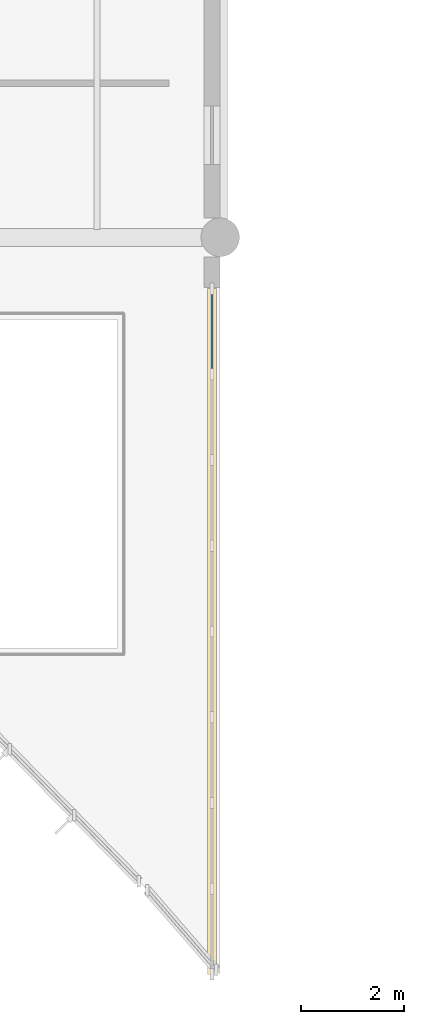
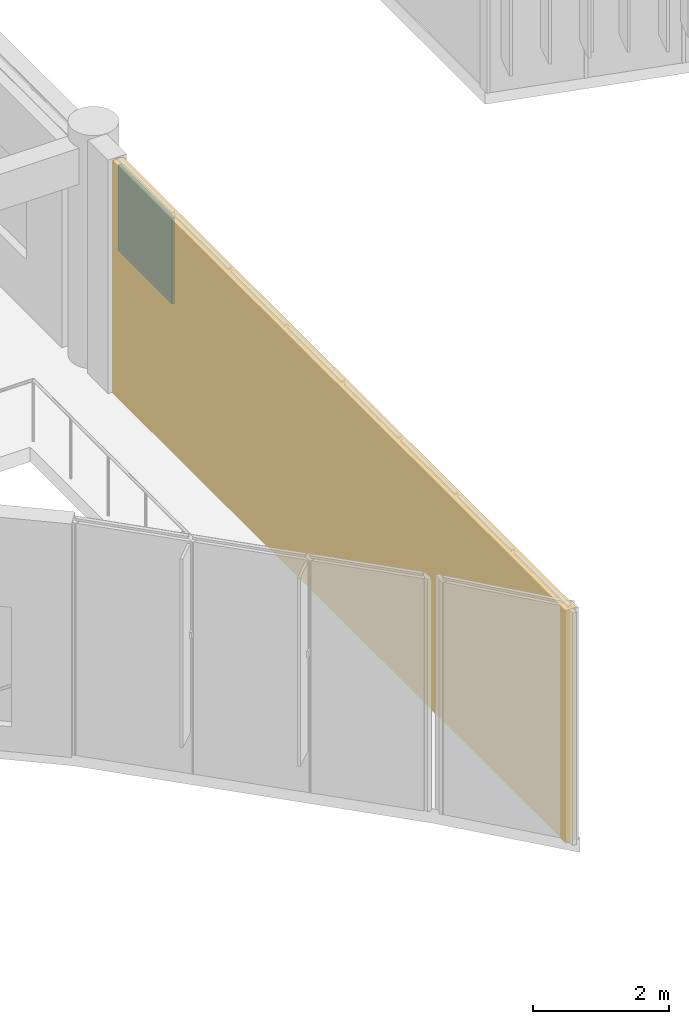
# One storey, part 82 of 122: 1 plate, plus 1 element that does not belong to this part.
"""IFC4 building model written with IfcOpenShell, lengths in metres."""

import ifcopenshell
import ifcopenshell.guid

model = None  # the IFC model being written
_history = None  # IfcOwnerHistory: only IFC2X3 demands one
_inside = {}  # id of a spatial element -> (the spatial element, [elements in it])
_under = {}  # id of a project, library or spatial element -> (it, [spatial elements below it])
_declared = {}  # id of a project -> (the project, [libraries it declares])
_typed = {}  # id of a type object -> (the type object, [elements of that type])
_made_of = {}  # id of a material, layer set ... -> (it, [elements and type objects made of it])


def new_model(schema):
    """Start an empty IFC model of exactly this schema.

    Asked for "IFC4X3", IfcOpenShell would pick the latest addendum, in which some entities
    have other attributes; the version numbers below select the first issue.
    IFC2X3 requires an IfcOwnerHistory on every rooted entity: one is made here for all.
    """
    global model, _history
    if schema == "IFC4X3":
        model = ifcopenshell.file(schema_version=(4, 3, 0, 0))
    else:
        model = ifcopenshell.file(schema=schema)
    _inside.clear()
    _under.clear()
    _declared.clear()
    _typed.clear()
    _made_of.clear()
    _history = None
    if model.schema == "IFC2X3":
        org = make("IfcOrganization", Name="unknown")
        user = make(
            "IfcPersonAndOrganization",
            ThePerson=make("IfcPerson", FamilyName="unknown"),
            TheOrganization=org,
        )
        app = make(
            "IfcApplication",
            ApplicationDeveloper=org,
            Version="unknown",
            ApplicationFullName="unknown",
            ApplicationIdentifier="unknown",
        )
        _history = make(
            "IfcOwnerHistory",
            OwningUser=user,
            OwningApplication=app,
            ChangeAction="ADDED",
            CreationDate=0,
        )
    return model


def make(cls, **values):
    """One entity of the class cls with the attributes given. An attribute that is None is left unset."""
    return model.create_entity(
        cls, **{name: value for name, value in values.items() if value is not None}
    )


def rooted(cls, **values):
    """An entity with a GlobalId (a new one), such as an element, a storey or a relation."""
    return make(cls, GlobalId=ifcopenshell.guid.new(), OwnerHistory=_history, **values)


def si_unit(unit_type, name, prefix=None):
    """IfcSIUnit, for example si_unit("LENGTHUNIT", "METRE", prefix="MILLI")."""
    return make("IfcSIUnit", UnitType=unit_type, Prefix=prefix, Name=name)


def assignment(units):
    """IfcUnitAssignment: the units of a project."""
    return None if units is None else make("IfcUnitAssignment", Units=units)


def point(xyz):
    """IfcCartesianPoint."""
    return None if xyz is None else make("IfcCartesianPoint", Coordinates=xyz)


def direction(xyz):
    """IfcDirection."""
    return None if xyz is None else make("IfcDirection", DirectionRatios=xyz)


def frame(location, z_axis=None, x_axis=None):
    """IfcAxis2Placement3D, a coordinate frame: its origin and axes. An axis left out is left unset."""
    return make(
        "IfcAxis2Placement3D",
        Location=point(location),
        Axis=direction(z_axis),
        RefDirection=direction(x_axis),
    )


def frame_2d(location, x_axis=None):
    """IfcAxis2Placement2D, a coordinate frame in the plane: its origin and x axis."""
    return make(
        "IfcAxis2Placement2D", Location=point(location), RefDirection=direction(x_axis)
    )


def origin():
    """The frame at (0, 0, 0) with its axes left unset."""
    return frame((0.0, 0.0, 0.0))


def origin_2d():
    """The frame at (0, 0) in the plane with its x axis left unset."""
    return frame_2d((0.0, 0.0))


def place(relative_to, where):
    """IfcLocalPlacement: puts the frame where relative to a parent placement (None: the world)."""
    return make(
        "IfcLocalPlacement", PlacementRelTo=relative_to, RelativePlacement=where
    )


def context(
    kind, dimensions, precision=None, world=None, true_north=None, identifier=None
):
    """IfcGeometricRepresentationContext, for example the 3D "Model" context."""
    return make(
        "IfcGeometricRepresentationContext",
        ContextIdentifier=identifier,
        ContextType=kind,
        CoordinateSpaceDimension=dimensions,
        Precision=precision,
        WorldCoordinateSystem=world,
        TrueNorth=true_north,
    )


def subcontext(parent, identifier, kind, view, scale=None):
    """IfcGeometricRepresentationSubContext, for example "Body" below "Model"."""
    return make(
        "IfcGeometricRepresentationSubContext",
        ContextIdentifier=identifier,
        ContextType=kind,
        ParentContext=parent,
        TargetScale=scale,
        TargetView=view,
    )


def project(units=None, contexts=None):
    """IfcProject with its units and contexts."""
    return rooted(
        "IfcProject",
        Name="project",
        RepresentationContexts=contexts,
        UnitsInContext=assignment(units),
    )


def spatial(cls, under=None, at=None, **own):
    """A site, building, storey or space (cls), placed at a placement, below another one or the project."""
    s = rooted(cls, ObjectPlacement=at, **own)
    if under is not None:
        _under.setdefault(under.id(), (under, []))[1].append(s)
    return s


def profile(cls, at=None, kind="AREA", **sizes):
    """A parametric profile (cls). Its sizes go by their IFC names, for example OverallWidth=200.0."""
    return make(cls, ProfileType=kind, Position=at, **sizes)


def rectangle(**sizes):
    """IfcRectangleProfileDef."""
    return profile("IfcRectangleProfileDef", **sizes)


def extrude(swept, where, along, depth):
    """IfcExtrudedAreaSolid: the profile swept, set in the frame where, extruded along a direction by depth."""
    return make(
        "IfcExtrudedAreaSolid",
        SweptArea=swept,
        Position=where,
        ExtrudedDirection=direction(along),
        Depth=depth,
    )


def shape(context_of_items, identifier, shape_type, items):
    """IfcShapeRepresentation: the items that make up one representation, for example the "Body"."""
    return make(
        "IfcShapeRepresentation",
        ContextOfItems=context_of_items,
        RepresentationIdentifier=identifier,
        RepresentationType=shape_type,
        Items=items,
    )


def material(Name=None, Category=None):
    """IfcMaterial."""
    return make("IfcMaterial", Name=Name, Category=Category)


def layer(
    of_material, thickness, ventilated=None, Name=None, Category=None, Priority=None
):
    """IfcMaterialLayer: one layer of a wall or slab, of a material (None: an air gap)."""
    return make(
        "IfcMaterialLayer",
        Material=of_material,
        LayerThickness=thickness,
        IsVentilated=ventilated,
        Name=Name,
        Category=Category,
        Priority=Priority,
    )


def layer_set(layers, Name=None):
    """IfcMaterialLayerSet."""
    return make("IfcMaterialLayerSet", MaterialLayers=layers, LayerSetName=Name)


def made_of(thing, what):
    """Note that an element or type object is made of a material, layer set ...; save() writes the relation."""
    if what is not None:
        _made_of.setdefault(what.id(), (what, []))[1].append(thing)
    return thing


def type_object(cls, material=None, **own):
    """A type object (cls), such as IfcWallType, which elements share."""
    return made_of(rooted(cls, **own), material)


def element(
    cls,
    number,
    at=None,
    inside=None,
    cuts=None,
    type_object=None,
    material=None,
    context=None,
    identifier="Body",
    shape_type=None,
    held_by="IfcProductDefinitionShape",
    body=None,
    shapes=None,
    **own,
):
    """One element of the class cls, such as IfcWall. Its Tag is "e" and its number.

    at: its placement. inside: the storey or other place that contains it. cuts: it is an
    opening in that element (IfcRelVoidsElement). A single representation is given by context,
    identifier, shape_type and body (its items); several are given by shapes. held_by: the class
    of the entity that holds the representations. save() writes the other relations.
    """
    e = rooted(cls, Tag="e%d" % number, ObjectPlacement=at, **own)
    if body is not None:
        shapes = [shape(context, identifier, shape_type, body)]
    if shapes is not None:
        e.Representation = make(held_by, Representations=shapes)
    if inside is not None:
        _inside.setdefault(inside.id(), (inside, []))[1].append(e)
    if cuts is not None:
        rooted(
            "IfcRelVoidsElement", RelatingBuildingElement=cuts, RelatedOpeningElement=e
        )
    if type_object is not None:
        _typed.setdefault(type_object.id(), (type_object, []))[1].append(e)
    return made_of(e, material)


def aggregate(whole, parts):
    """IfcRelAggregates: a whole, such as a stair, and the parts it consists of."""
    return rooted("IfcRelAggregates", RelatingObject=whole, RelatedObjects=parts)


def save(model, path):
    """Write the relations noted so far, then the file.

    IfcRelAggregates (storeys below a building ...), IfcRelContainedInSpatialStructure (elements
    in a storey), IfcRelDefinesByType, IfcRelAssociatesMaterial and IfcRelDeclares: one each for
    every whole, place, type object, material and project.
    """
    for whole, parts in _under.values():
        aggregate(whole, parts)
    for where, things in _inside.values():
        rooted(
            "IfcRelContainedInSpatialStructure",
            RelatedElements=things,
            RelatingStructure=where,
        )
    for kind, things in _typed.values():
        rooted("IfcRelDefinesByType", RelatedObjects=things, RelatingType=kind)
    for what, things in _made_of.values():
        rooted("IfcRelAssociatesMaterial", RelatedObjects=things, RelatingMaterial=what)
    for by, libraries in _declared.values():
        rooted("IfcRelDeclares", RelatingContext=by, RelatedDefinitions=libraries)
    model.write(path)


model = new_model("IFC4")

# Units and contexts
model_context = context("Model", 3, precision=1e-05, world=origin(), true_north=direction((0.0, 1.0)))
body_context = subcontext(model_context, "Body", "Model", "MODEL_VIEW")
ifc_project = project(units=[si_unit("LENGTHUNIT", "METRE"), si_unit("AREAUNIT", "SQUARE_METRE"), si_unit("VOLUMEUNIT", "CUBIC_METRE"), si_unit("PLANEANGLEUNIT", "RADIAN"), si_unit("MASSUNIT", "GRAM", prefix="KILO")], contexts=[model_context])

# Plate
ifc_material_1 = material(Name="Double Low-E Acoustic Laminated Glass", Category="glass")
ifc_layer = layer(ifc_material_1, 0.0439453125, Name="Double Low-E Acoustic Laminated Glass")
ifc_layer_set = layer_set([ifc_layer], Name="Double Low-E Acoustic Laminated Glass")
plate_type = type_object("IfcPlateType", Name="Acoustic Laminated Low-E Glazing Unit 44", PredefinedType="CURTAIN_PANEL", material=ifc_layer_set)
site_placement = place(None, origin())
building_placement = place(site_placement, origin())
storey_placement = place(building_placement, frame((0.0, 0.0, 4.800048828125)))
plate_placement = place(storey_placement, frame((116.840087890625, 13.965576171875, 2.5634765625), z_axis=(0.0, 0.0, 1.0), x_axis=(0.0, 1.0, 0.0)))
plate = element("IfcPlate", 1, at=plate_placement, type_object=plate_type, Name="Curtain Panel CWP-01 CW-V5-RET-E-L01-P08.3", PredefinedType="CURTAIN_PANEL", context=body_context, shape_type="SweptSolid", body=[
    extrude(rectangle(XDim=1.5986328125, YDim=0.0439453125, at=origin_2d()), origin(), (0.0, 0.0, 1.0), 1.54638671875),
])

# Site, building, storey
site = spatial("IfcSite", under=ifc_project, at=site_placement, CompositionType="ELEMENT")
building = spatial("IfcBuilding", under=site, at=building_placement, Name="Tazoul Stagehouse", CompositionType="ELEMENT")
storey = spatial("IfcBuildingStorey", under=building, at=storey_placement, Name="L01", CompositionType="ELEMENT", Elevation=4.800048828125)

# Curtain wall
ifc_material_2 = material(Name="Anodised Bronze Aluminium 6063-T6", Category="aluminium")
curtain_wall_type = type_object("IfcCurtainWallType", Name="Crescent Double-Skin Acoustic Curtain Wall", PredefinedType="NOTDEFINED", material=ifc_material_2)
curtain_wall_placement = place(storey_placement, frame((116.840087890625, 1.449951171875, 0.0), z_axis=(0.0, 0.0, 1.0), x_axis=(0.0, 1.0, 0.0)))
curtain_wall = element("IfcCurtainWall", 2, at=curtain_wall_placement, inside=storey, type_object=curtain_wall_type, Name="L01 Curtain Wall CW-01 (CW-V5-RET-E-L01)", PredefinedType="NOTDEFINED", context=body_context, shape_type="SweptSolid", body=[
    extrude(rectangle(XDim=13.35009765625, YDim=0.179931640625, at=frame_2d((6.675048828125, 0.0))), origin(), (0.0, 0.0, 1.0), 4.179931640625),
])

aggregate(curtain_wall, [plate])

save(model, "model.ifc")
